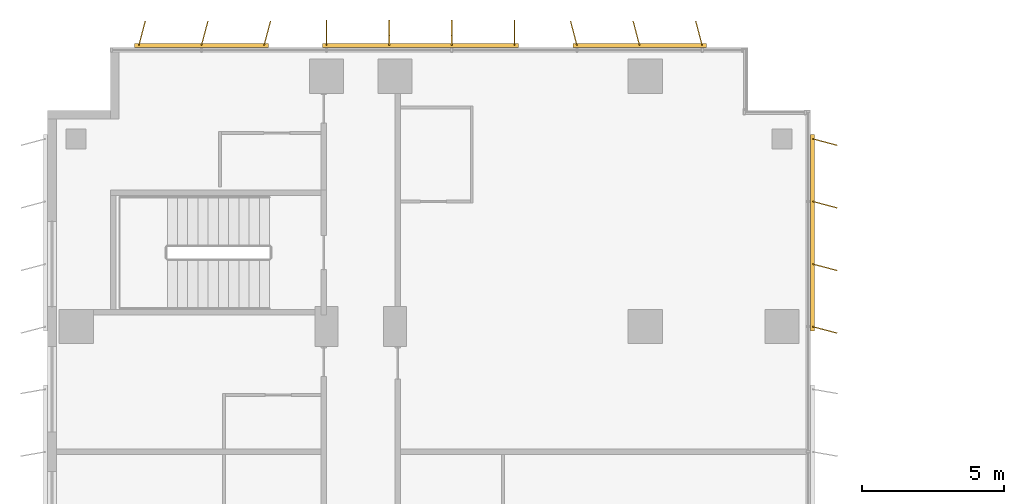
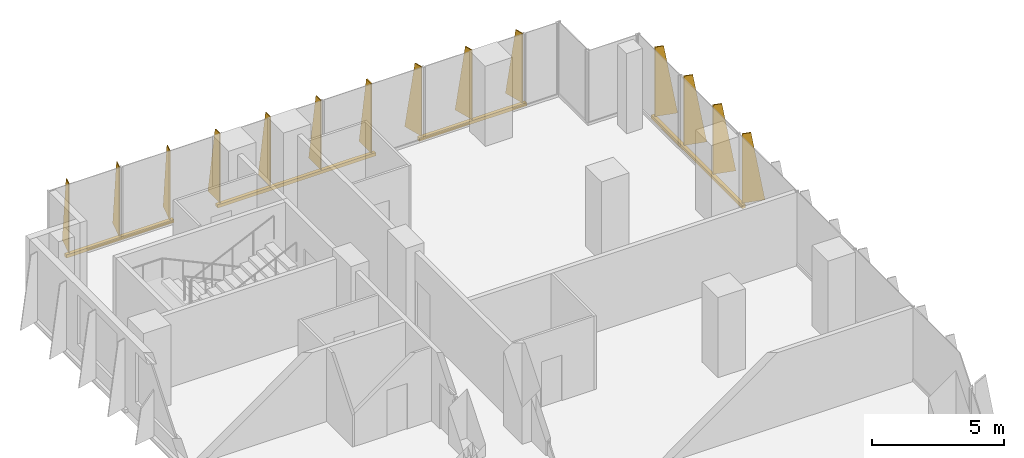
# One storey, part 23 of 23: 4 shading devices.
"""IFC4 building model written with IfcOpenShell, lengths in metres."""

from ifc_helpers import new_model, si_unit, direction, frame, origin, origin_2d, place, context, subcontext, project, spatial, polyline, rectangle, outline, extrude, source, transform, mapped, material, layer, layer_set, type_object, element, save


model = new_model("IFC4")

# Units and contexts
model_context = context("Model", 3, precision=1e-05, world=origin(), true_north=direction((0.0, 1.0)))
body_context = subcontext(model_context, "Body", "Model", "MODEL_VIEW")
ifc_project = project(units=[si_unit("LENGTHUNIT", "METRE"), si_unit("AREAUNIT", "SQUARE_METRE"), si_unit("VOLUMEUNIT", "CUBIC_METRE"), si_unit("PLANEANGLEUNIT", "RADIAN"), si_unit("MASSUNIT", "GRAM", prefix="KILO")], contexts=[model_context])

# Site, building, storey
site_placement = place(None, origin())
site = spatial("IfcSite", under=ifc_project, at=site_placement, CompositionType="ELEMENT")
building_placement = place(site_placement, origin())
building = spatial("IfcBuilding", under=site, at=building_placement, Name="Kemantara Hotel Tower", CompositionType="ELEMENT")
storey_placement = place(building_placement, frame((0.0, 0.0, 138.300048828125)))
storey = spatial("IfcBuildingStorey", under=building, at=storey_placement, Name="L33", CompositionType="ELEMENT", Elevation=138.300048828125)

# Shading devices
ifc_material = material(Name="Perforated aluminium plate 4 mm bronze anodised", Category="aluminium")
ifc_layer_1 = layer(ifc_material, 0.0400390625)
ifc_layer_set_1 = layer_set([ifc_layer_1], Name="Perforated aluminium plate 4 mm bronze anodised")
shading_device_type_1 = type_object("IfcShadingDeviceType", Name="SCREEN FIN CASSETTE, 3 BLADES AT -15.0 DEG, 3200 HIGH", PredefinedType="USERDEFINED", material=ifc_layer_set_1)
shared_shape_1 = source(origin(), body_context, "Body", "SweptSolid", [
    extrude(rectangle(XDim=4.699951171875, YDim=0.14990234375, at=origin_2d()), frame((2.199951171875, -0.074951171875, -0.14990234375), z_axis=(0.0, 0.0, 1.0), x_axis=(1.0, 0.0, 0.0)), (0.0, 0.0, 1.0), 0.14990234375),
    extrude(outline(polyline([(0.0, 0.0), (0.89990234375, 0.0), (0.35009765625, 3.199951171875), (0.0, 3.199951171875), (0.0, 0.0)])), frame((0.019287109375, -0.080078125, 0.0), z_axis=(-0.966437683387, 0.256901156343, 0.0), x_axis=(-0.256901156343, -0.966437683387, 0.0)), (0.0, 0.0, 1.0), 0.039794921875),
    extrude(outline(polyline([(0.0, 0.0), (0.89990234375, 0.0), (0.35009765625, 3.199951171875), (0.0, 3.199951171875), (0.0, 0.0)])), frame((2.21923828125, -0.080078125, 0.0), z_axis=(-0.966437683387, 0.256901156343, 0.0), x_axis=(-0.256901156343, -0.966437683387, 0.0)), (0.0, 0.0, 1.0), 0.039794921875),
    extrude(outline(polyline([(0.0, 0.0), (0.89990234375, 0.0), (0.35009765625, 3.199951171875), (0.0, 3.199951171875), (0.0, 0.0)])), frame((4.41943359375, -0.080078125, 0.0), z_axis=(-0.966837822169, 0.255391122837, 0.0), x_axis=(-0.255391122837, -0.966837822169, 0.0)), (0.0, 0.0, 1.0), 0.0400390625),
])
shading_device_1_placement = place(storey_placement, frame((7.60009765625, 81.199951171875, 0.099853515625), z_axis=(0.0, 0.0, 1.0), x_axis=(-1.0, 0.0, 0.0)))
element("IfcShadingDevice", 1, at=shading_device_1_placement, inside=storey, type_object=shading_device_type_1, Name="SCREEN FIN CASSETTE L33 T2-R01-3", ObjectType="SCREEN FIN", PredefinedType="USERDEFINED", context=body_context, shape_type="MappedRepresentation", body=[
    mapped(shared_shape_1, transform((0.0, 0.0, 0.0))),
])
ifc_layer_2 = layer(ifc_material, 0.0400390625)
ifc_layer_set_2 = layer_set([ifc_layer_2], Name="Perforated aluminium plate 4 mm bronze anodised")
shading_device_type_2 = type_object("IfcShadingDeviceType", Name="SCREEN FIN CASSETTE, 4 BLADES AT +0.0 DEG, 3200 HIGH", PredefinedType="USERDEFINED", material=ifc_layer_set_2)
shared_shape_2 = source(origin(), body_context, "Body", "SweptSolid", [
    extrude(rectangle(XDim=6.89990234375, YDim=0.14990234375, at=origin_2d()), frame((3.300048828125, -0.074951171875, -0.14990234375), z_axis=(0.0, 0.0, 1.0), x_axis=(1.0, 0.0, 0.0)), (0.0, 0.0, 1.0), 0.14990234375),
    extrude(outline(polyline([(0.0, 0.0), (0.89990234375, 0.0), (0.35009765625, 3.199951171875), (0.0, 3.199951171875), (0.0, 0.0)])), frame((0.02001953125, -0.074951171875, 0.0), z_axis=(-1.0, 0.0, 0.0), x_axis=(0.0, -1.0, 0.0)), (0.0, 0.0, 1.0), 0.0400390625),
    extrude(outline(polyline([(0.0, 0.0), (0.89990234375, 0.0), (0.35009765625, 3.199951171875), (0.0, 3.199951171875), (0.0, 0.0)])), frame((2.219970703125, -0.074951171875, 0.0), z_axis=(-1.0, 0.0, 0.0), x_axis=(0.0, -1.0, 0.0)), (0.0, 0.0, 1.0), 0.0400390625),
    extrude(outline(polyline([(0.0, 0.0), (0.89990234375, 0.0), (0.35009765625, 3.199951171875), (0.0, 3.199951171875), (0.0, 0.0)])), frame((4.419921875, -0.074951171875, 0.0), z_axis=(-1.0, 0.0, 0.0), x_axis=(0.0, -1.0, 0.0)), (0.0, 0.0, 1.0), 0.0400390625),
    extrude(outline(polyline([(0.0, 0.0), (0.89990234375, 0.0), (0.35009765625, 3.199951171875), (0.0, 3.199951171875), (0.0, 0.0)])), frame((6.6201171875, -0.074951171875, 0.0), z_axis=(-1.0, 0.0, 0.0), x_axis=(0.0, -1.0, 0.0)), (0.0, 0.0, 1.0), 0.0400390625),
])
shading_device_2_placement = place(storey_placement, frame((16.39990234375, 81.199951171875, 0.099853515625), z_axis=(0.0, 0.0, 1.0), x_axis=(-1.0, 0.0, 0.0)))
element("IfcShadingDevice", 2, at=shading_device_2_placement, inside=storey, type_object=shading_device_type_2, Name="SCREEN FIN CASSETTE L33 T2-R01-2", ObjectType="SCREEN FIN", PredefinedType="USERDEFINED", context=body_context, shape_type="MappedRepresentation", body=[
    mapped(shared_shape_2, transform((0.0, 0.0, 0.0))),
])
ifc_layer_3 = layer(ifc_material, 0.0400390625)
ifc_layer_set_3 = layer_set([ifc_layer_3], Name="Perforated aluminium plate 4 mm bronze anodised")
shading_device_type_3 = type_object("IfcShadingDeviceType", Name="SCREEN FIN CASSETTE, 3 BLADES AT +15.0 DEG, 3200 HIGH", PredefinedType="USERDEFINED", material=ifc_layer_set_3)
shared_shape_3 = source(origin(), body_context, "Body", "SweptSolid", [
    extrude(rectangle(XDim=4.699951171875, YDim=0.14990234375, at=origin_2d()), frame((2.199951171875, -0.074951171875, -0.14990234375), z_axis=(0.0, 0.0, 1.0), x_axis=(1.0, 0.0, 0.0)), (0.0, 0.0, 1.0), 0.14990234375),
    extrude(outline(polyline([(0.0, 0.0), (0.89990234375, 0.0), (0.35009765625, 3.199951171875), (0.0, 3.199951171875), (0.0, 0.0)])), frame((0.019287109375, -0.06982421875, 0.0), z_axis=(-0.966437683387, -0.256901156343, 0.0), x_axis=(0.256901156343, -0.966437683387, 0.0)), (0.0, 0.0, 1.0), 0.039794921875),
    extrude(outline(polyline([(0.0, 0.0), (0.89990234375, 0.0), (0.35009765625, 3.199951171875), (0.0, 3.199951171875), (0.0, 0.0)])), frame((2.21923828125, -0.06982421875, 0.0), z_axis=(-0.966437683387, -0.256901156343, 0.0), x_axis=(0.256901156343, -0.966437683387, 0.0)), (0.0, 0.0, 1.0), 0.039794921875),
    extrude(outline(polyline([(0.0, 0.0), (0.89990234375, 0.0), (0.35009765625, 3.199951171875), (0.0, 3.199951171875), (0.0, 0.0)])), frame((4.41943359375, -0.06982421875, 0.0), z_axis=(-0.966837822169, -0.255391122837, 0.0), x_axis=(0.255391122837, -0.966837822169, 0.0)), (0.0, 0.0, 1.0), 0.0400390625),
])
shading_device_3_placement = place(storey_placement, frame((23.0, 81.199951171875, 0.099853515625), z_axis=(0.0, 0.0, 1.0), x_axis=(-1.0, 0.0, 0.0)))
element("IfcShadingDevice", 3, at=shading_device_3_placement, inside=storey, type_object=shading_device_type_3, Name="SCREEN FIN CASSETTE L33 T2-R01-1", ObjectType="SCREEN FIN", PredefinedType="USERDEFINED", context=body_context, shape_type="MappedRepresentation", body=[
    mapped(shared_shape_3, transform((0.0, 0.0, 0.0))),
])
ifc_layer_4 = layer(ifc_material, 0.0400390625)
ifc_layer_set_4 = layer_set([ifc_layer_4], Name="Perforated aluminium plate 4 mm bronze anodised")
shading_device_type_4 = type_object("IfcShadingDeviceType", Name="SCREEN FIN CASSETTE, 4 BLADES AT -15.0 DEG, 3200 HIGH", PredefinedType="USERDEFINED", material=ifc_layer_set_4)
shared_shape_4 = source(origin(), body_context, "Body", "SweptSolid", [
    extrude(rectangle(XDim=6.89990234375, YDim=0.14990234375, at=origin_2d()), frame((3.300048828125, -0.074951171875, -0.14990234375), z_axis=(0.0, 0.0, 1.0), x_axis=(1.0, 0.0, 0.0)), (0.0, 0.0, 1.0), 0.14990234375),
    extrude(outline(polyline([(0.0, 0.0), (0.89990234375, 0.0), (0.35009765625, 3.199951171875), (0.0, 3.199951171875), (0.0, 0.0)])), frame((0.019287109375, -0.080078125, 0.0), z_axis=(-0.966437683387, 0.256901156343, 0.0), x_axis=(-0.256901156343, -0.966437683387, 0.0)), (0.0, 0.0, 1.0), 0.039794921875),
    extrude(outline(polyline([(0.0, 0.0), (0.89990234375, 0.0), (0.35009765625, 3.199951171875), (0.0, 3.199951171875), (0.0, 0.0)])), frame((2.21923828125, -0.080078125, 0.0), z_axis=(-0.966437683387, 0.256901156343, 0.0), x_axis=(-0.256901156343, -0.966437683387, 0.0)), (0.0, 0.0, 1.0), 0.039794921875),
    extrude(outline(polyline([(0.0, 0.0), (0.89990234375, 0.0), (0.35009765625, 3.199951171875), (0.0, 3.199951171875), (0.0, 0.0)])), frame((4.41943359375, -0.080078125, 0.0), z_axis=(-0.966837822169, 0.255391122837, 0.0), x_axis=(-0.255391122837, -0.966837822169, 0.0)), (0.0, 0.0, 1.0), 0.0400390625),
    extrude(outline(polyline([(0.0, 0.0), (0.89990234375, 0.0), (0.35009765625, 3.199951171875), (0.0, 3.199951171875), (0.0, 0.0)])), frame((6.619384765625, -0.080078125, 0.0), z_axis=(-0.966837822169, 0.255391122837, 0.0), x_axis=(-0.255391122837, -0.966837822169, 0.0)), (0.0, 0.0, 1.0), 0.0400390625),
])
shading_device_4_placement = place(storey_placement, frame((26.800048828125, 71.39990234375, 0.099853515625), z_axis=(0.0, 0.0, 1.0), x_axis=(0.0, 1.0, 0.0)))
element("IfcShadingDevice", 4, at=shading_device_4_placement, inside=storey, type_object=shading_device_type_4, Name="SCREEN FIN CASSETTE L33 T2-R14-7", ObjectType="SCREEN FIN", PredefinedType="USERDEFINED", context=body_context, shape_type="MappedRepresentation", body=[
    mapped(shared_shape_4, transform((0.0, 0.0, 0.0))),
])

save(model, "model.ifc")
